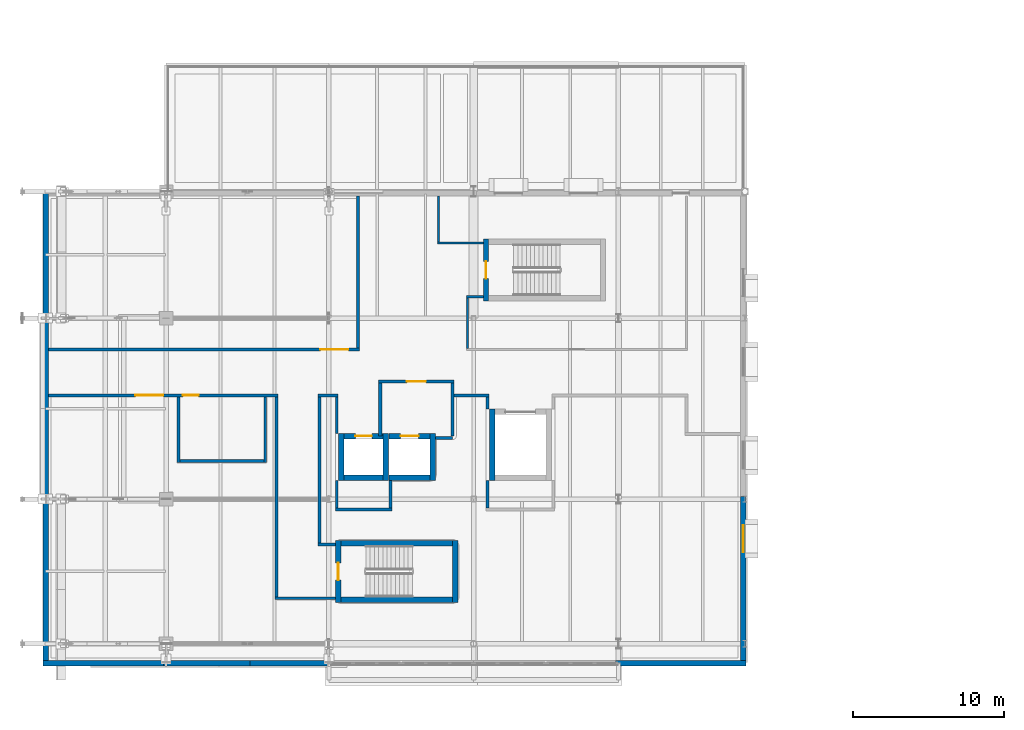
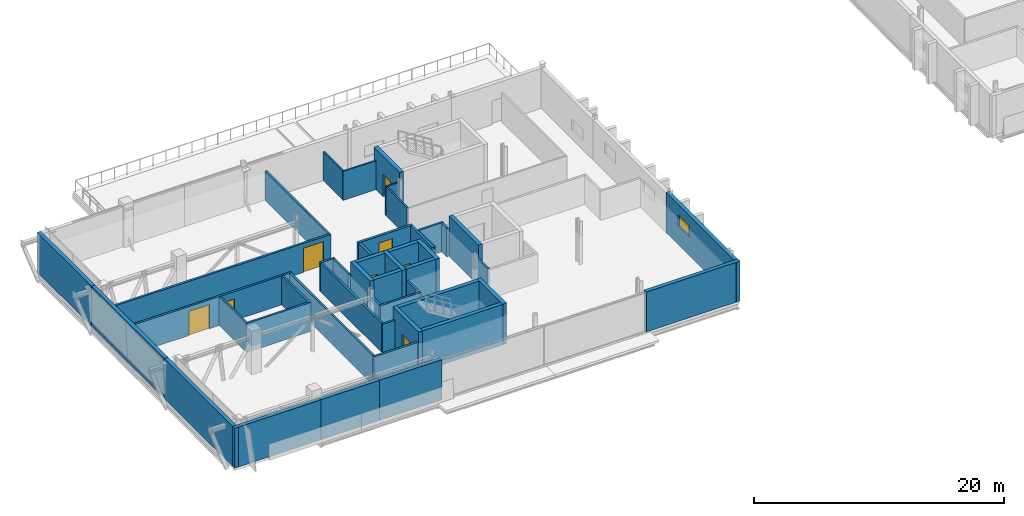
# One storey, part 42 of 57: 47 walls, 8 doors, 1 window, 9 openings.
"""IFC4 building model written with IfcOpenShell, lengths in metres."""

from ifc_helpers import new_model, si_unit, direction, frame, frame_2d, origin, place, context, subcontext, project, spatial, rectangle, extrude, material, layer, layer_set, type_object, element, fill, save


model = new_model("IFC4")

# Units and contexts
model_context = context("Model", 3, precision=1e-05, world=origin(), true_north=direction((0.0, 1.0)))
body_context = subcontext(model_context, "Body", "Model", "MODEL_VIEW")
ifc_project = project(units=[si_unit("LENGTHUNIT", "METRE"), si_unit("AREAUNIT", "SQUARE_METRE"), si_unit("VOLUMEUNIT", "CUBIC_METRE"), si_unit("PLANEANGLEUNIT", "RADIAN"), si_unit("MASSUNIT", "GRAM", prefix="KILO")], contexts=[model_context])

# Site, building, storey
site_placement = place(None, origin())
site = spatial("IfcSite", under=ifc_project, at=site_placement, CompositionType="ELEMENT")
building_placement = place(site_placement, origin())
building = spatial("IfcBuilding", under=site, at=building_placement, Name="Zereglee Splitstone Museum", CompositionType="ELEMENT")
storey_placement = place(building_placement, frame((0.0, 0.0, 17.10009765625)))
storey = spatial("IfcBuildingStorey", under=building, at=storey_placement, Name="L03", CompositionType="ELEMENT", Elevation=17.10009765625)

# Wall, opening, door
ifc_material_1 = material(Name="Concrete C45/55", Category="concrete")
ifc_layer_1 = layer(ifc_material_1, 0.360107421875)
ifc_layer_set_1 = layer_set([ifc_layer_1], Name="Concrete C45/55")
wall_type_1 = type_object("IfcWallType", Name="CSW-02", PredefinedType="SHEAR", material=ifc_layer_set_1)
wall_1_placement = place(storey_placement, frame((21.02001953125, 2.739990234375, 0.0), z_axis=(0.0, 0.0, 1.0), x_axis=(0.0, 1.0, 0.0)))
wall_1 = element("IfcWall", 1, at=wall_1_placement, inside=storey, type_object=wall_type_1, Name="Stair Core Shear Wall ST-01 L03 West", PredefinedType="SHEAR", context=body_context, shape_type="SweptSolid", body=[
    extrude(rectangle(XDim=4.1201171875, YDim=0.360107421875, at=frame_2d((2.06005859375, 0.0))), origin(), (0.0, 0.0, 1.0), 3.93994140625),
])
opening_1_placement = place(wall_1_placement, frame((1.485107421875, 0.0, 0.0)))
opening_1 = element("IfcOpeningElement", 2, at=opening_1_placement, cuts=wall_1, Name="Opening ID-03", PredefinedType="OPENING", context=body_context, shape_type="SweptSolid", body=[
    extrude(rectangle(XDim=1.14990234375, YDim=2.14990234375, at=frame_2d((0.574951171875, 1.074951171875))), frame((0.0, 0.19482421875, 0.0), z_axis=(0.0, -1.0, 0.0), x_axis=(1.0, 0.0, 0.0)), (0.0, 0.0, 1.0), 0.389892578125),
])
ifc_material_2 = material(Name="Fire-rated steel and Siberian larch leaf", Category="steel")
door_type_1 = type_object("IfcDoorType", Name="ID-03", OperationType="NOTDEFINED", PredefinedType="DOOR", material=ifc_material_2)
door_1_placement = place(opening_1_placement, origin())
door_1 = element("IfcDoor", 3, at=door_1_placement, inside=storey, type_object=door_type_1, Name="Protected Stair Fire Door ST-01 L03", OperationType="SINGLE_SWING_LEFT", OverallHeight=2.14990234375, OverallWidth=1.14990234375, PredefinedType="DOOR", context=body_context, shape_type="SweptSolid", body=[
    extrude(rectangle(XDim=1.14990234375, YDim=2.14990234375, at=frame_2d((0.574951171875, 1.074951171875))), frame((0.0, 0.02490234375, 0.0), z_axis=(0.0, -1.0, 0.0), x_axis=(1.0, 0.0, 0.0)), (0.0, 0.0, 1.0), 0.050048828125),
])
fill(opening_1, door_1)

# Walls
wall_2_placement = place(storey_placement, frame((28.780029296875, 2.739990234375, 0.0), z_axis=(0.0, 0.0, 1.0), x_axis=(0.0, 1.0, 0.0)))
element("IfcWall", 4, at=wall_2_placement, inside=storey, type_object=wall_type_1, Name="Stair Core Shear Wall ST-01 L03 East", PredefinedType="SHEAR", context=body_context, shape_type="SweptSolid", body=[
    extrude(rectangle(XDim=4.1201171875, YDim=0.360107421875, at=frame_2d((2.06005859375, 0.0))), origin(), (0.0, 0.0, 1.0), 3.93994140625),
])
for number, where, z_axis, x_axis, name in (
    (5, (21.199951171875, 6.679931640625, 0.0), (0.0, 0.0, 1.0), (1.0, 0.0, 0.0), "Stair Core Shear Wall ST-01 L03 North"),
    (6, (21.199951171875, 2.919921875, 0.0), (0.0, 0.0, 1.0), (1.0, 0.0, 0.0), "Stair Core Shear Wall ST-01 L03 South"),
):
    element("IfcWall", number, at=place(storey_placement, frame(where, z_axis=z_axis, x_axis=x_axis)), inside=storey, type_object=wall_type_1, Name=name, PredefinedType="SHEAR", context=body_context, shape_type="SweptSolid", body=[
        extrude(rectangle(XDim=7.400146484375, YDim=0.360107421875, at=frame_2d((3.7001953125, 0.0))), origin(), (0.0, 0.0, 1.0), 3.93994140625),
    ])

# Wall, opening, door
wall_3_placement = place(storey_placement, frame((30.820068359375, 22.739990234375, 0.0), z_axis=(0.0, 0.0, 1.0), x_axis=(0.0, 1.0, 0.0)))
wall_3 = element("IfcWall", 7, at=wall_3_placement, inside=storey, type_object=wall_type_1, Name="Stair Core Shear Wall ST-02 L03 West", PredefinedType="SHEAR", context=body_context, shape_type="SweptSolid", body=[
    extrude(rectangle(XDim=4.1201171875, YDim=0.360107421875, at=frame_2d((2.06005859375, 0.0))), origin(), (0.0, 0.0, 1.0), 3.93994140625),
])
opening_2_placement = place(wall_3_placement, frame((1.485107421875, 0.0, 0.0)))
opening_2 = element("IfcOpeningElement", 8, at=opening_2_placement, cuts=wall_3, Name="Opening ID-03", PredefinedType="OPENING", context=body_context, shape_type="SweptSolid", body=[
    extrude(rectangle(XDim=1.14990234375, YDim=2.14990234375, at=frame_2d((0.574951171875, 1.074951171875))), frame((0.0, 0.19482421875, 0.0), z_axis=(0.0, -1.0, 0.0), x_axis=(1.0, 0.0, 0.0)), (0.0, 0.0, 1.0), 0.389892578125),
])
door_2_placement = place(opening_2_placement, origin())
door_2 = element("IfcDoor", 9, at=door_2_placement, inside=storey, type_object=door_type_1, Name="Protected Stair Fire Door ST-02 L03", OperationType="SINGLE_SWING_LEFT", OverallHeight=2.14990234375, OverallWidth=1.14990234375, PredefinedType="DOOR", context=body_context, shape_type="SweptSolid", body=[
    extrude(rectangle(XDim=1.14990234375, YDim=2.14990234375, at=frame_2d((0.574951171875, 1.074951171875))), frame((0.0, 0.02490234375, 0.0), z_axis=(0.0, -1.0, 0.0), x_axis=(1.0, 0.0, 0.0)), (0.0, 0.0, 1.0), 0.050048828125),
])
fill(opening_2, door_2)

wall_4_placement = place(storey_placement, frame((21.39990234375, 13.780029296875, 0.0), z_axis=(0.0, 0.0, 1.0), x_axis=(1.0, 0.0, 0.0)))
wall_4 = element("IfcWall", 10, at=wall_4_placement, inside=storey, type_object=wall_type_1, Name="Lift Shaft Wall PL-01 L03 North", PredefinedType="SHEAR", context=body_context, shape_type="SweptSolid", body=[
    extrude(rectangle(XDim=2.60009765625, YDim=0.360107421875, at=frame_2d((1.300048828125, 0.0))), origin(), (0.0, 0.0, 1.0), 3.93994140625),
])
opening_3_placement = place(wall_4_placement, frame((0.75, 0.0, 0.0)))
opening_3 = element("IfcOpeningElement", 11, at=opening_3_placement, cuts=wall_4, Name="Opening LD-01", PredefinedType="OPENING", context=body_context, shape_type="SweptSolid", body=[
    extrude(rectangle(XDim=1.10009765625, YDim=2.14990234375, at=frame_2d((0.550048828125, 1.074951171875))), frame((0.0, 0.19482421875, 0.0), z_axis=(0.0, -1.0, 0.0), x_axis=(1.0, 0.0, 0.0)), (0.0, 0.0, 1.0), 0.389892578125),
])
door_type_2 = type_object("IfcDoorType", Name="LD-01", OperationType="DOUBLE_DOOR_SLIDING", PredefinedType="DOOR", material=ifc_material_2)
door_3_placement = place(opening_3_placement, origin())
door_3 = element("IfcDoor", 12, at=door_3_placement, inside=storey, type_object=door_type_2, Name="Lift Landing Sliding Door PL-01 L03", OperationType="DOUBLE_DOOR_SLIDING", OverallHeight=2.14990234375, OverallWidth=1.10009765625, PredefinedType="DOOR", context=body_context, shape_type="SweptSolid", body=[
    extrude(rectangle(XDim=1.10009765625, YDim=2.14990234375, at=frame_2d((0.550048828125, 1.074951171875))), frame((0.0, 0.02490234375, 0.0), z_axis=(0.0, -1.0, 0.0), x_axis=(1.0, 0.0, 0.0)), (0.0, 0.0, 1.0), 0.050048828125),
])
fill(opening_3, door_3)

# Walls
wall_5_placement = place(storey_placement, frame((21.39990234375, 11.02001953125, 0.0), z_axis=(0.0, 0.0, 1.0), x_axis=(1.0, 0.0, 0.0)))
element("IfcWall", 13, at=wall_5_placement, inside=storey, type_object=wall_type_1, Name="Lift Shaft Wall PL-01 L03 South", PredefinedType="SHEAR", context=body_context, shape_type="SweptSolid", body=[
    extrude(rectangle(XDim=2.60009765625, YDim=0.360107421875, at=frame_2d((1.300048828125, 0.0))), origin(), (0.0, 0.0, 1.0), 3.93994140625),
])
for number, where, z_axis, x_axis, name in (
    (14, (21.219970703125, 10.840087890625, 0.0), (0.0, 0.0, 1.0), (0.0, 1.0, 0.0), "Lift Shaft Wall PL-01 L03 West"),
    (15, (24.179931640625, 10.840087890625, 0.0), (0.0, 0.0, 1.0), (0.0, 1.0, 0.0), "Lift Shaft Wall PL-01 L03 East"),
):
    element("IfcWall", number, at=place(storey_placement, frame(where, z_axis=z_axis, x_axis=x_axis)), inside=storey, type_object=wall_type_1, Name=name, PredefinedType="SHEAR", context=body_context, shape_type="SweptSolid", body=[
        extrude(rectangle(XDim=3.119873046875, YDim=0.360107421875, at=frame_2d((1.56005859375, 0.0))), origin(), (0.0, 0.0, 1.0), 3.93994140625),
    ])

# Wall, opening, door
wall_6_placement = place(storey_placement, frame((24.39990234375, 13.780029296875, 0.0), z_axis=(0.0, 0.0, 1.0), x_axis=(1.0, 0.0, 0.0)))
wall_6 = element("IfcWall", 16, at=wall_6_placement, inside=storey, type_object=wall_type_1, Name="Lift Shaft Wall FL-01 L03 North", PredefinedType="SHEAR", context=body_context, shape_type="SweptSolid", body=[
    extrude(rectangle(XDim=2.7001953125, YDim=0.360107421875, at=frame_2d((1.35009765625, 0.0))), origin(), (0.0, 0.0, 1.0), 3.93994140625),
])
opening_4_placement = place(wall_6_placement, frame((0.75, 0.0, 0.0)))
opening_4 = element("IfcOpeningElement", 17, at=opening_4_placement, cuts=wall_6, Name="Opening LD-02", PredefinedType="OPENING", context=body_context, shape_type="SweptSolid", body=[
    extrude(rectangle(XDim=1.199951171875, YDim=2.14990234375, at=frame_2d((0.60009765625, 1.074951171875))), frame((0.0, 0.19482421875, 0.0), z_axis=(0.0, -1.0, 0.0), x_axis=(1.0, 0.0, 0.0)), (0.0, 0.0, 1.0), 0.389892578125),
])
door_type_3 = type_object("IfcDoorType", Name="LD-02", OperationType="DOUBLE_DOOR_SLIDING", PredefinedType="DOOR", material=ifc_material_2)
door_4_placement = place(opening_4_placement, origin())
door_4 = element("IfcDoor", 18, at=door_4_placement, inside=storey, type_object=door_type_3, Name="Lift Landing Sliding Door FL-01 L03", OperationType="DOUBLE_DOOR_SLIDING", OverallHeight=2.14990234375, OverallWidth=1.199951171875, PredefinedType="DOOR", context=body_context, shape_type="SweptSolid", body=[
    extrude(rectangle(XDim=1.199951171875, YDim=2.14990234375, at=frame_2d((0.60009765625, 1.074951171875))), frame((0.0, 0.02490234375, 0.0), z_axis=(0.0, -1.0, 0.0), x_axis=(1.0, 0.0, 0.0)), (0.0, 0.0, 1.0), 0.050048828125),
])
fill(opening_4, door_4)

# Walls
wall_7_placement = place(storey_placement, frame((24.39990234375, 11.02001953125, 0.0), z_axis=(0.0, 0.0, 1.0), x_axis=(1.0, 0.0, 0.0)))
element("IfcWall", 19, at=wall_7_placement, inside=storey, type_object=wall_type_1, Name="Lift Shaft Wall FL-01 L03 South", PredefinedType="SHEAR", context=body_context, shape_type="SweptSolid", body=[
    extrude(rectangle(XDim=2.7001953125, YDim=0.360107421875, at=frame_2d((1.35009765625, 0.0))), origin(), (0.0, 0.0, 1.0), 3.93994140625),
])
wall_8_placement = place(storey_placement, frame((27.280029296875, 10.840087890625, 0.0), z_axis=(0.0, 0.0, 1.0), x_axis=(0.0, 1.0, 0.0)))
element("IfcWall", 20, at=wall_8_placement, inside=storey, type_object=wall_type_1, Name="Lift Shaft Wall FL-01 L03 East", PredefinedType="SHEAR", context=body_context, shape_type="SweptSolid", body=[
    extrude(rectangle(XDim=3.119873046875, YDim=0.360107421875, at=frame_2d((1.56005859375, 0.0))), origin(), (0.0, 0.0, 1.0), 3.93994140625),
])
wall_9_placement = place(storey_placement, frame((31.219970703125, 10.840087890625, 0.0), z_axis=(0.0, 0.0, 1.0), x_axis=(0.0, 1.0, 0.0)))
element("IfcWall", 21, at=wall_9_placement, inside=storey, type_object=wall_type_1, Name="Lift Shaft Wall GL-02 L03 West", PredefinedType="SHEAR", context=body_context, shape_type="SweptSolid", body=[
    extrude(rectangle(XDim=4.719970703125, YDim=0.360107421875, at=frame_2d((2.35986328125, 0.0))), origin(), (0.0, 0.0, 1.0), 3.93994140625),
])
ifc_material_3 = material(Name="Precast concrete C40/50", Category="concrete")
ifc_layer_2 = layer(ifc_material_3, 0.35009765625)
ifc_layer_set_2 = layer_set([ifc_layer_2], Name="Precast concrete C40/50")
wall_type_2 = type_object("IfcWallType", Name="EW-01", PredefinedType="STANDARD", material=ifc_layer_set_2)
wall_10_placement = place(storey_placement, frame((1.6201171875, 30.06005859375, 0.0), z_axis=(0.0, 0.0, 1.0), x_axis=(0.0, -1.0, 0.0)))
element("IfcWall", 22, at=wall_10_placement, inside=storey, type_object=wall_type_2, Name="Exterior Backup Wall RC4-EW-L03-0174", PredefinedType="STANDARD", context=body_context, shape_type="SweptSolid", body=[
    extrude(rectangle(XDim=8.64013671875, YDim=0.35009765625, at=frame_2d((4.320068359375, 0.0))), origin(), (0.0, 0.0, 1.0), 3.89990234375),
])
wall_11_placement = place(storey_placement, frame((1.6201171875, 21.780029296875, 0.0), z_axis=(0.0, 0.0, 1.0), x_axis=(0.0, -1.0, 0.0)))
element("IfcWall", 23, at=wall_11_placement, inside=storey, type_object=wall_type_2, Name="Exterior Backup Wall RC4-EW-L03-0175", PredefinedType="STANDARD", context=body_context, shape_type="SweptSolid", body=[
    extrude(rectangle(XDim=12.360107421875, YDim=0.35009765625, at=frame_2d((6.18017578125, 0.0))), origin(), (0.0, 0.0, 1.0), 3.89990234375),
])
wall_12_placement = place(storey_placement, frame((1.6201171875, 9.780029296875, 0.0), z_axis=(0.0, 0.0, 1.0), x_axis=(0.0, -1.0, 0.0)))
element("IfcWall", 24, at=wall_12_placement, inside=storey, type_object=wall_type_2, Name="Exterior Backup Wall RC4-EW-L03-0176", PredefinedType="STANDARD", context=body_context, shape_type="SweptSolid", body=[
    extrude(rectangle(XDim=11.239990234375, YDim=0.35009765625, at=frame_2d((5.6201171875, 0.0))), origin(), (0.0, 0.0, 1.0), 3.89990234375),
])
wall_13_placement = place(storey_placement, frame((1.43994140625, -1.280029296875, 0.0), z_axis=(0.0, 0.0, 1.0), x_axis=(1.0, 0.0, 0.0)))
element("IfcWall", 25, at=wall_13_placement, inside=storey, type_object=wall_type_2, Name="Exterior Backup Wall RC4-EW-L03-0177", PredefinedType="STANDARD", context=body_context, shape_type="SweptSolid", body=[
    extrude(rectangle(XDim=8.340087890625, YDim=0.35009765625, at=frame_2d((4.169921875, 0.0))), origin(), (0.0, 0.0, 1.0), 3.89990234375),
])
for number, where, z_axis, x_axis, name in (
    (26, (9.419921875, -1.280029296875, 0.0), (0.0, 0.0, 1.0), (1.0, 0.0, 0.0), "Exterior Backup Wall RC4-EW-L03-0178"),
    (27, (14.820068359375, -1.280029296875, 0.0), (0.0, 0.0, 1.0), (1.0, 0.0, 0.0), "Exterior Backup Wall RC4-EW-L03-0179"),
):
    element("IfcWall", number, at=place(storey_placement, frame(where, z_axis=z_axis, x_axis=x_axis)), inside=storey, type_object=wall_type_2, Name=name, PredefinedType="STANDARD", context=body_context, shape_type="SweptSolid", body=[
        extrude(rectangle(XDim=5.760009765625, YDim=0.35009765625, at=frame_2d((2.8798828125, 0.0))), origin(), (0.0, 0.0, 1.0), 3.89990234375),
    ])
wall_14_placement = place(storey_placement, frame((39.419921875, -1.280029296875, 0.0), z_axis=(0.0, 0.0, 1.0), x_axis=(1.0, 0.0, 0.0)))
element("IfcWall", 28, at=wall_14_placement, inside=storey, type_object=wall_type_2, Name="Exterior Backup Wall RC4-EW-L03-0180", PredefinedType="STANDARD", context=body_context, shape_type="SweptSolid", body=[
    extrude(rectangle(XDim=8.64013671875, YDim=0.35009765625, at=frame_2d((4.320068359375, 0.0))), origin(), (0.0, 0.0, 1.0), 3.89990234375),
])

# Wall, opening, window
wall_15_placement = place(storey_placement, frame((47.8798828125, -1.4599609375, 0.0), z_axis=(0.0, 0.0, 1.0), x_axis=(0.0, 1.0, 0.0)))
wall_15 = element("IfcWall", 29, at=wall_15_placement, inside=storey, type_object=wall_type_2, Name="Exterior Backup Wall RC4-EW-L03-0181", PredefinedType="STANDARD", context=body_context, shape_type="SweptSolid", body=[
    extrude(rectangle(XDim=11.239990234375, YDim=0.35009765625, at=frame_2d((5.6201171875, 0.0))), origin(), (0.0, 0.0, 1.0), 3.89990234375),
])
opening_5_placement = place(wall_15_placement, frame((7.530029296875, 0.0, 1.800048828125)))
opening_5 = element("IfcOpeningElement", 30, at=opening_5_placement, cuts=wall_15, Name="Opening EW-W12", PredefinedType="OPENING", context=body_context, shape_type="SweptSolid", body=[
    extrude(rectangle(XDim=1.800048828125, YDim=1.10009765625, at=frame_2d((0.89990234375, 0.550048828125))), frame((0.0, 0.18994140625, 0.0), z_axis=(0.0, -1.0, 0.0), x_axis=(1.0, 0.0, 0.0)), (0.0, 0.0, 1.0), 0.3798828125),
])
ifc_material_4 = material(Name="Thermally broken aluminium frame with triple low-e glazing", Category="aluminium")
window_type = type_object("IfcWindowType", Name="EW-W12", PartitioningType="DOUBLE_PANEL_HORIZONTAL", PredefinedType="WINDOW", material=ifc_material_4)
window_placement = place(opening_5_placement, origin())
window = element("IfcWindow", 31, at=window_placement, inside=storey, type_object=window_type, Name="Mughal Deep-Reveal Gallery Window L03-0119", OverallHeight=1.10009765625, OverallWidth=1.800048828125, PartitioningType="SINGLE_PANEL", PredefinedType="WINDOW", context=body_context, shape_type="SweptSolid", body=[
    extrude(rectangle(XDim=1.800048828125, YDim=1.10009765625, at=frame_2d((0.89990234375, 0.550048828125))), frame((0.0, 0.030029296875, 0.0), z_axis=(0.0, -1.0, 0.0), x_axis=(1.0, 0.0, 0.0)), (0.0, 0.0, 1.0), 0.06005859375),
])
fill(opening_5, window)

# Walls
ifc_material_5 = material(Name="Fire-rated gypsum board partition", Category="masonry")
ifc_layer_3 = layer(ifc_material_5, 0.139892578125)
ifc_layer_set_3 = layer_set([ifc_layer_3], Name="Fire-rated gypsum board partition")
wall_type_3 = type_object("IfcWallType", Name="IW-05", PredefinedType="PARTITIONING", material=ifc_layer_set_3)
wall_16_placement = place(storey_placement, frame((29.510009765625, 23.02001953125, 0.0), z_axis=(0.0, 0.0, 1.0), x_axis=(1.0, 0.0, 0.0)))
element("IfcWall", 32, at=wall_16_placement, inside=storey, type_object=wall_type_3, Name="Interior Partition L03-0585 (Curatorial Study Room)", PredefinedType="PARTITIONING", context=body_context, shape_type="SweptSolid", body=[
    extrude(rectangle(XDim=1.1298828125, YDim=0.139892578125, at=frame_2d((0.56494140625, 0.0))), origin(), (0.0, 0.0, 1.0), 2.81982421875),
])
wall_17_placement = place(storey_placement, frame((27.610107421875, 26.580078125, 0.0), z_axis=(0.0, 0.0, 1.0), x_axis=(1.0, 0.0, 0.0)))
element("IfcWall", 33, at=wall_17_placement, inside=storey, type_object=wall_type_3, Name="Interior Partition L03-0586 (Curatorial Study Room)", PredefinedType="PARTITIONING", context=body_context, shape_type="SweptSolid", body=[
    extrude(rectangle(XDim=3.02978515625, YDim=0.139892578125, at=frame_2d((1.514892578125, 0.0))), origin(), (0.0, 0.0, 1.0), 2.81982421875),
])
wall_18_placement = place(storey_placement, frame((27.679931640625, 26.64990234375, 0.0), z_axis=(0.0, 0.0, 1.0), x_axis=(0.0, 1.0, 0.0)))
element("IfcWall", 34, at=wall_18_placement, inside=storey, type_object=wall_type_3, Name="Interior Partition L03-0600 (Curatorial Study Room)", PredefinedType="PARTITIONING", context=body_context, shape_type="SweptSolid", body=[
    extrude(rectangle(XDim=3.05517578125, YDim=0.139892578125, at=frame_2d((1.527587890625, 0.0))), origin(), (0.0, 0.0, 1.0), 2.81982421875),
])
wall_19_placement = place(storey_placement, frame((29.580078125, 19.590087890625, 0.0), z_axis=(0.0, 0.0, 1.0), x_axis=(0.0, 1.0, 0.0)))
element("IfcWall", 35, at=wall_19_placement, inside=storey, type_object=wall_type_3, Name="Interior Partition L03-0601 (Curatorial Study Room)", PredefinedType="PARTITIONING", context=body_context, shape_type="SweptSolid", body=[
    extrude(rectangle(XDim=3.35986328125, YDim=0.139892578125, at=frame_2d((1.679931640625, 0.0))), origin(), (0.0, 0.0, 1.0), 2.81982421875),
])

# Wall, opening, door
ifc_material_6 = material(Name="Concrete C35/45", Category="concrete")
ifc_layer_4 = layer(ifc_material_6, 0.219970703125)
ifc_layer_set_4 = layer_set([ifc_layer_4], Name="Concrete C35/45")
wall_type_4 = type_object("IfcWallType", Name="IW-01", PredefinedType="PARTITIONING", material=ifc_layer_set_4)
wall_20_placement = place(storey_placement, frame((23.68994140625, 17.39990234375, 0.0), z_axis=(0.0, 0.0, 1.0), x_axis=(1.0, 0.0, 0.0)))
wall_20 = element("IfcWall", 36, at=wall_20_placement, inside=storey, type_object=wall_type_4, Name="Firefighting Lobby Wall L03 North", PredefinedType="PARTITIONING", context=body_context, shape_type="SweptSolid", body=[
    extrude(rectangle(XDim=5.02001953125, YDim=0.219970703125, at=frame_2d((2.510009765625, 0.0))), origin(), (0.0, 0.0, 1.0), 2.81982421875),
])
opening_6_placement = place(wall_20_placement, frame((1.885009765625, 0.0, 0.0)))
opening_6 = element("IfcOpeningElement", 37, at=opening_6_placement, cuts=wall_20, Name="Opening ID-04", PredefinedType="OPENING", context=body_context, shape_type="SweptSolid", body=[
    extrude(rectangle(XDim=1.25, YDim=2.14990234375, at=frame_2d((0.625, 1.074951171875))), frame((0.0, 0.125, 0.0), z_axis=(0.0, -1.0, 0.0), x_axis=(1.0, 0.0, 0.0)), (0.0, 0.0, 1.0), 0.249755859375),
])
door_type_4 = type_object("IfcDoorType", Name="ID-04", OperationType="NOTDEFINED", PredefinedType="DOOR", material=ifc_material_2)
door_5_placement = place(opening_6_placement, origin())
door_5 = element("IfcDoor", 38, at=door_5_placement, inside=storey, type_object=door_type_4, Name="Firefighting Lobby Fire Door L03", OperationType="SINGLE_SWING_RIGHT", OverallHeight=2.14990234375, OverallWidth=1.25, PredefinedType="DOOR", context=body_context, shape_type="SweptSolid", body=[
    extrude(rectangle(XDim=1.25, YDim=2.14990234375, at=frame_2d((0.625, 1.074951171875))), frame((0.0, 0.02490234375, 0.0), z_axis=(0.0, -1.0, 0.0), x_axis=(1.0, 0.0, 0.0)), (0.0, 0.0, 1.0), 0.050048828125),
])
fill(opening_6, door_5)

# Walls
for number, where, z_axis, x_axis, name in (
    (39, (23.800048828125, 13.800048828125, 0.0), (0.0, 0.0, 1.0), (0.0, 1.0, 0.0), "Firefighting Lobby Wall L03 West"),
    (40, (28.60009765625, 13.800048828125, 0.0), (0.0, 0.0, 1.0), (0.0, 1.0, 0.0), "Firefighting Lobby Wall L03 East"),
):
    element("IfcWall", number, at=place(storey_placement, frame(where, z_axis=z_axis, x_axis=x_axis)), inside=storey, type_object=wall_type_4, Name=name, PredefinedType="PARTITIONING", context=body_context, shape_type="SweptSolid", body=[
        extrude(rectangle(XDim=3.489990234375, YDim=0.219970703125, at=frame_2d((1.7451171875, 0.0))), origin(), (0.0, 0.0, 1.0), 2.81982421875),
    ])
ifc_material_7 = material(Name="Gypsum board on acoustic steel stud", Category="steel")
ifc_layer_5 = layer(ifc_material_7, 0.18994140625)
ifc_layer_set_5 = layer_set([ifc_layer_5], Name="Gypsum board on acoustic steel stud")
wall_type_5 = type_object("IfcWallType", Name="IW-02", PredefinedType="PARTITIONING", material=ifc_layer_set_5)
wall_21_placement = place(storey_placement, frame((16.824951171875, 3.02001953125, 0.0), z_axis=(0.0, 0.0, 1.0), x_axis=(1.0, 0.0, 0.0)))
element("IfcWall", 41, at=wall_21_placement, inside=storey, type_object=wall_type_5, Name="Interior Partition L03-0554 (Jade and Lapidary Exhibition Gallery)", PredefinedType="PARTITIONING", context=body_context, shape_type="SweptSolid", body=[
    extrude(rectangle(XDim=4.01513671875, YDim=0.18994140625, at=frame_2d((2.007568359375, 0.0))), origin(), (0.0, 0.0, 1.0), 2.81982421875),
])
wall_22_placement = place(storey_placement, frame((19.68505859375, 6.580078125, 0.0), z_axis=(0.0, 0.0, 1.0), x_axis=(1.0, 0.0, 0.0)))
element("IfcWall", 42, at=wall_22_placement, inside=storey, type_object=wall_type_5, Name="Interior Partition L03-0556 (Jade and Lapidary Exhibition Gallery)", PredefinedType="PARTITIONING", context=body_context, shape_type="SweptSolid", body=[
    extrude(rectangle(XDim=1.155029296875, YDim=0.18994140625, at=frame_2d((0.57763671875, 0.0))), origin(), (0.0, 0.0, 1.0), 2.81982421875),
])
wall_23_placement = place(storey_placement, frame((20.824951171875, 8.919921875, 0.0), z_axis=(0.0, 0.0, 1.0), x_axis=(1.0, 0.0, 0.0)))
element("IfcWall", 43, at=wall_23_placement, inside=storey, type_object=wall_type_5, Name="Interior Partition L03-0558 (Jade and Lapidary Exhibition Gallery)", PredefinedType="PARTITIONING", context=body_context, shape_type="SweptSolid", body=[
    extrude(rectangle(XDim=3.75, YDim=0.18994140625, at=frame_2d((1.875, 0.0))), origin(), (0.0, 0.0, 1.0), 2.81982421875),
])
wall_24_placement = place(storey_placement, frame((10.324951171875, 12.1201171875, 0.0), z_axis=(0.0, 0.0, 1.0), x_axis=(1.0, 0.0, 0.0)))
element("IfcWall", 44, at=wall_24_placement, inside=storey, type_object=wall_type_5, Name="Interior Partition L03-0563 (Public Washroom)", PredefinedType="PARTITIONING", context=body_context, shape_type="SweptSolid", body=[
    extrude(rectangle(XDim=5.949951171875, YDim=0.18994140625, at=frame_2d((2.97509765625, 0.0))), origin(), (0.0, 0.0, 1.0), 2.81982421875),
])
wall_25_placement = place(storey_placement, frame((27.4599609375, 13.659912109375, 0.0), z_axis=(0.0, 0.0, 1.0), x_axis=(1.0, 0.0, 0.0)))
element("IfcWall", 45, at=wall_25_placement, inside=storey, type_object=wall_type_5, Name="Interior Partition L03-0569 (Jade and Lapidary Exhibition Gallery)", PredefinedType="PARTITIONING", context=body_context, shape_type="SweptSolid", body=[
    extrude(rectangle(XDim=1.14013671875, YDim=0.18994140625, at=frame_2d((0.570068359375, 0.0))), origin(), (0.0, 0.0, 1.0), 2.81982421875),
])

# Wall, openings, doors
wall_26_placement = place(storey_placement, frame((1.794921875, 16.47998046875, 0.0), z_axis=(0.0, 0.0, 1.0), x_axis=(1.0, 0.0, 0.0)))
wall_26 = element("IfcWall", 46, at=wall_26_placement, inside=storey, type_object=wall_type_5, Name="Interior Partition L03-0572 (Public Washroom)", PredefinedType="PARTITIONING", context=body_context, shape_type="SweptSolid", body=[
    extrude(rectangle(XDim=15.219970703125, YDim=0.18994140625, at=frame_2d((7.60986328125, 0.0))), origin(), (0.0, 0.0, 1.0), 2.81982421875),
])
opening_7_placement = place(wall_26_placement, frame((8.911376953125, 0.0, 0.0)))
opening_7 = element("IfcOpeningElement", 47, at=opening_7_placement, cuts=wall_26, Name="Opening ID-12", PredefinedType="OPENING", context=body_context, shape_type="SweptSolid", body=[
    extrude(rectangle(XDim=1.050048828125, YDim=2.10009765625, at=frame_2d((0.52490234375, 1.050048828125))), frame((0.0, 0.10986328125, 0.0), z_axis=(0.0, -1.0, 0.0), x_axis=(1.0, 0.0, 0.0)), (0.0, 0.0, 1.0), 0.2197265625),
])
opening_8_placement = place(wall_26_placement, frame((5.771728515625, 0.0, 0.0)))
opening_8 = element("IfcOpeningElement", 48, at=opening_8_placement, cuts=wall_26, Name="Opening ID-02", PredefinedType="OPENING", context=body_context, shape_type="SweptSolid", body=[
    extrude(rectangle(XDim=1.85009765625, YDim=2.35009765625, at=frame_2d((0.925048828125, 1.175048828125))), frame((0.0, 0.10986328125, 0.0), z_axis=(0.0, -1.0, 0.0), x_axis=(1.0, 0.0, 0.0)), (0.0, 0.0, 1.0), 0.2197265625),
])
ifc_material_8 = material(Name="Siberian larch acoustic timber leaf in bronze-steel frame", Category="steel")
door_type_5 = type_object("IfcDoorType", Name="ID-12", OperationType="NOTDEFINED", PredefinedType="DOOR", material=ifc_material_8)
door_6_placement = place(opening_7_placement, frame((1.050048828125, 0.0, 0.0), z_axis=(0.0, 0.0, 1.0), x_axis=(-1.0, 0.0, 0.0)))
door_6 = element("IfcDoor", 49, at=door_6_placement, inside=storey, type_object=door_type_5, Name="Interior Door L03-0096 (Public Washroom)", OperationType="SINGLE_SWING_LEFT", OverallHeight=2.10009765625, OverallWidth=1.050048828125, PredefinedType="DOOR", context=body_context, shape_type="SweptSolid", body=[
    extrude(rectangle(XDim=1.050048828125, YDim=2.10009765625, at=frame_2d((0.52490234375, 1.050048828125))), frame((0.0, 0.02490234375, 0.0), z_axis=(0.0, -1.0, 0.0), x_axis=(1.0, 0.0, 0.0)), (0.0, 0.0, 1.0), 0.050048828125),
])
fill(opening_7, door_6)
door_type_6 = type_object("IfcDoorType", Name="ID-02", OperationType="NOTDEFINED", PredefinedType="DOOR", material=ifc_material_2)
door_7_placement = place(opening_8_placement, frame((1.85009765625, 0.0, 0.0), z_axis=(0.0, 0.0, 1.0), x_axis=(-1.0, 0.0, 0.0)))
door_7 = element("IfcDoor", 50, at=door_7_placement, inside=storey, type_object=door_type_6, Name="Interior Door L03-0097 (Jade and Lapidary Exhibition Gallery)", OperationType="DOUBLE_DOOR_SINGLE_SWING", OverallHeight=2.35009765625, OverallWidth=1.85009765625, PredefinedType="DOOR", context=body_context, shape_type="SweptSolid", body=[
    extrude(rectangle(XDim=1.85009765625, YDim=2.35009765625, at=frame_2d((0.925048828125, 1.175048828125))), frame((0.0, 0.02490234375, 0.0), z_axis=(0.0, -1.0, 0.0), x_axis=(1.0, 0.0, 0.0)), (0.0, 0.0, 1.0), 0.050048828125),
])
fill(opening_8, door_7)

# Walls
wall_27_placement = place(storey_placement, frame((19.68505859375, 16.47998046875, 0.0), z_axis=(0.0, 0.0, 1.0), x_axis=(1.0, 0.0, 0.0)))
element("IfcWall", 51, at=wall_27_placement, inside=storey, type_object=wall_type_5, Name="Interior Partition L03-0573 (Jade and Lapidary Exhibition Gallery)", PredefinedType="PARTITIONING", context=body_context, shape_type="SweptSolid", body=[
    extrude(rectangle(XDim=1.329833984375, YDim=0.18994140625, at=frame_2d((0.6650390625, 0.0))), origin(), (0.0, 0.0, 1.0), 2.81982421875),
])
wall_28_placement = place(storey_placement, frame((28.7099609375, 16.47998046875, 0.0), z_axis=(0.0, 0.0, 1.0), x_axis=(1.0, 0.0, 0.0)))
element("IfcWall", 52, at=wall_28_placement, inside=storey, type_object=wall_type_5, Name="Interior Partition L03-0574 (Jade and Lapidary Exhibition Gallery)", PredefinedType="PARTITIONING", context=body_context, shape_type="SweptSolid", body=[
    extrude(rectangle(XDim=2.304931640625, YDim=0.18994140625, at=frame_2d((1.15234375, 0.0))), origin(), (0.0, 0.0, 1.0), 2.81982421875),
])

# Wall, opening, door
wall_29_placement = place(storey_placement, frame((1.794921875, 19.52001953125, 0.0), z_axis=(0.0, 0.0, 1.0), x_axis=(1.0, 0.0, 0.0)))
wall_29 = element("IfcWall", 53, at=wall_29_placement, inside=storey, type_object=wall_type_5, Name="Interior Partition L03-0579 (Bronze Metallurgy Exhibition Hall)", PredefinedType="PARTITIONING", context=body_context, shape_type="SweptSolid", body=[
    extrude(rectangle(XDim=20.6201171875, YDim=0.18994140625, at=frame_2d((10.31005859375, 0.0))), origin(), (0.0, 0.0, 1.0), 2.81982421875),
])
opening_9_placement = place(wall_29_placement, frame((18.04541015625, 0.0, 0.0)))
opening_9 = element("IfcOpeningElement", 54, at=opening_9_placement, cuts=wall_29, Name="Opening ID-02", PredefinedType="OPENING", context=body_context, shape_type="SweptSolid", body=[
    extrude(rectangle(XDim=1.85009765625, YDim=2.35009765625, at=frame_2d((0.925048828125, 1.175048828125))), frame((0.0, 0.10986328125, 0.0), z_axis=(0.0, -1.0, 0.0), x_axis=(1.0, 0.0, 0.0)), (0.0, 0.0, 1.0), 0.2197265625),
])
door_8_placement = place(opening_9_placement, origin())
door_8 = element("IfcDoor", 55, at=door_8_placement, inside=storey, type_object=door_type_6, Name="Interior Door L03-0098 (Bronze Metallurgy Exhibition Hall)", OperationType="DOUBLE_DOOR_SINGLE_SWING", OverallHeight=2.35009765625, OverallWidth=1.85009765625, PredefinedType="DOOR", context=body_context, shape_type="SweptSolid", body=[
    extrude(rectangle(XDim=1.85009765625, YDim=2.35009765625, at=frame_2d((0.925048828125, 1.175048828125))), frame((0.0, 0.02490234375, 0.0), z_axis=(0.0, -1.0, 0.0), x_axis=(1.0, 0.0, 0.0)), (0.0, 0.0, 1.0), 0.050048828125),
])
fill(opening_9, door_8)

# Walls
for number, where, z_axis, x_axis, name in (
    (56, (10.419921875, 12.030029296875, 0.0), (0.0, 0.0, 1.0), (0.0, 1.0, 0.0), "Interior Partition L03-0592 (Public Washroom)"),
    (57, (16.179931640625, 12.030029296875, 0.0), (0.0, 0.0, 1.0), (0.0, 1.0, 0.0), "Interior Partition L03-0593 (Public Washroom)"),
):
    element("IfcWall", number, at=place(storey_placement, frame(where, z_axis=z_axis, x_axis=x_axis)), inside=storey, type_object=wall_type_5, Name=name, PredefinedType="PARTITIONING", context=body_context, shape_type="SweptSolid", body=[
        extrude(rectangle(XDim=4.35498046875, YDim=0.18994140625, at=frame_2d((2.177490234375, 0.0))), origin(), (0.0, 0.0, 1.0), 2.81982421875),
    ])
wall_30_placement = place(storey_placement, frame((16.919921875, 3.114990234375, 0.0), z_axis=(0.0, 0.0, 1.0), x_axis=(0.0, 1.0, 0.0)))
element("IfcWall", 58, at=wall_30_placement, inside=storey, type_object=wall_type_5, Name="Interior Partition L03-0594 (Jade and Lapidary Exhibition Gallery)", PredefinedType="PARTITIONING", context=body_context, shape_type="SweptSolid", body=[
    extrude(rectangle(XDim=13.27001953125, YDim=0.18994140625, at=frame_2d((6.635009765625, 0.0))), origin(), (0.0, 0.0, 1.0), 2.81982421875),
])
wall_31_placement = place(storey_placement, frame((19.780029296875, 6.675048828125, 0.0), z_axis=(0.0, 0.0, 1.0), x_axis=(0.0, 1.0, 0.0)))
element("IfcWall", 59, at=wall_31_placement, inside=storey, type_object=wall_type_5, Name="Interior Partition L03-0595 (Jade and Lapidary Exhibition Gallery)", PredefinedType="PARTITIONING", context=body_context, shape_type="SweptSolid", body=[
    extrude(rectangle(XDim=9.7099609375, YDim=0.18994140625, at=frame_2d((4.85498046875, 0.0))), origin(), (0.0, 0.0, 1.0), 2.81982421875),
])
wall_32_placement = place(storey_placement, frame((20.919921875, 9.014892578125, 0.0), z_axis=(0.0, 0.0, 1.0), x_axis=(0.0, 1.0, 0.0)))
element("IfcWall", 60, at=wall_32_placement, inside=storey, type_object=wall_type_5, Name="Interior Partition L03-0596 (Jade and Lapidary Exhibition Gallery)", PredefinedType="PARTITIONING", context=body_context, shape_type="SweptSolid", body=[
    extrude(rectangle(XDim=1.8251953125, YDim=0.18994140625, at=frame_2d((0.91259765625, 0.0))), origin(), (0.0, 0.0, 1.0), 2.81982421875),
])
wall_33_placement = place(storey_placement, frame((20.919921875, 13.9599609375, 0.0), z_axis=(0.0, 0.0, 1.0), x_axis=(0.0, 1.0, 0.0)))
element("IfcWall", 61, at=wall_33_placement, inside=storey, type_object=wall_type_5, Name="Interior Partition L03-0597 (Jade and Lapidary Exhibition Gallery)", PredefinedType="PARTITIONING", context=body_context, shape_type="SweptSolid", body=[
    extrude(rectangle(XDim=2.425048828125, YDim=0.18994140625, at=frame_2d((1.21240234375, 0.0))), origin(), (0.0, 0.0, 1.0), 2.81982421875),
])
wall_34_placement = place(storey_placement, frame((22.320068359375, 19.614990234375, 0.0), z_axis=(0.0, 0.0, 1.0), x_axis=(0.0, 1.0, 0.0)))
element("IfcWall", 62, at=wall_34_placement, inside=storey, type_object=wall_type_5, Name="Interior Partition L03-0598 (Bronze Metallurgy Exhibition Hall)", PredefinedType="PARTITIONING", context=body_context, shape_type="SweptSolid", body=[
    extrude(rectangle(XDim=10.090087890625, YDim=0.18994140625, at=frame_2d((5.044921875, 0.0))), origin(), (0.0, 0.0, 1.0), 2.81982421875),
])
for number, where, z_axis, x_axis, name in (
    (63, (24.47998046875, 9.014892578125, 0.0), (0.0, 0.0, 1.0), (0.0, 1.0, 0.0), "Interior Partition L03-0599 (Jade and Lapidary Exhibition Gallery)"),
    (64, (30.919921875, 9.014892578125, 0.0), (0.0, 0.0, 1.0), (0.0, 1.0, 0.0), "Interior Partition L03-0602 (Jade and Lapidary Exhibition Gallery)"),
):
    element("IfcWall", number, at=place(storey_placement, frame(where, z_axis=z_axis, x_axis=x_axis)), inside=storey, type_object=wall_type_5, Name=name, PredefinedType="PARTITIONING", context=body_context, shape_type="SweptSolid", body=[
        extrude(rectangle(XDim=1.8251953125, YDim=0.18994140625, at=frame_2d((0.91259765625, 0.0))), origin(), (0.0, 0.0, 1.0), 2.81982421875),
    ])
wall_35_placement = place(storey_placement, frame((30.919921875, 15.56005859375, 0.0), z_axis=(0.0, 0.0, 1.0), x_axis=(0.0, 1.0, 0.0)))
element("IfcWall", 65, at=wall_35_placement, inside=storey, type_object=wall_type_5, Name="Interior Partition L03-0603 (Jade and Lapidary Exhibition Gallery)", PredefinedType="PARTITIONING", context=body_context, shape_type="SweptSolid", body=[
    extrude(rectangle(XDim=0.824951171875, YDim=0.18994140625, at=frame_2d((0.41259765625, 0.0))), origin(), (0.0, 0.0, 1.0), 2.81982421875),
])

save(model, "model.ifc")
